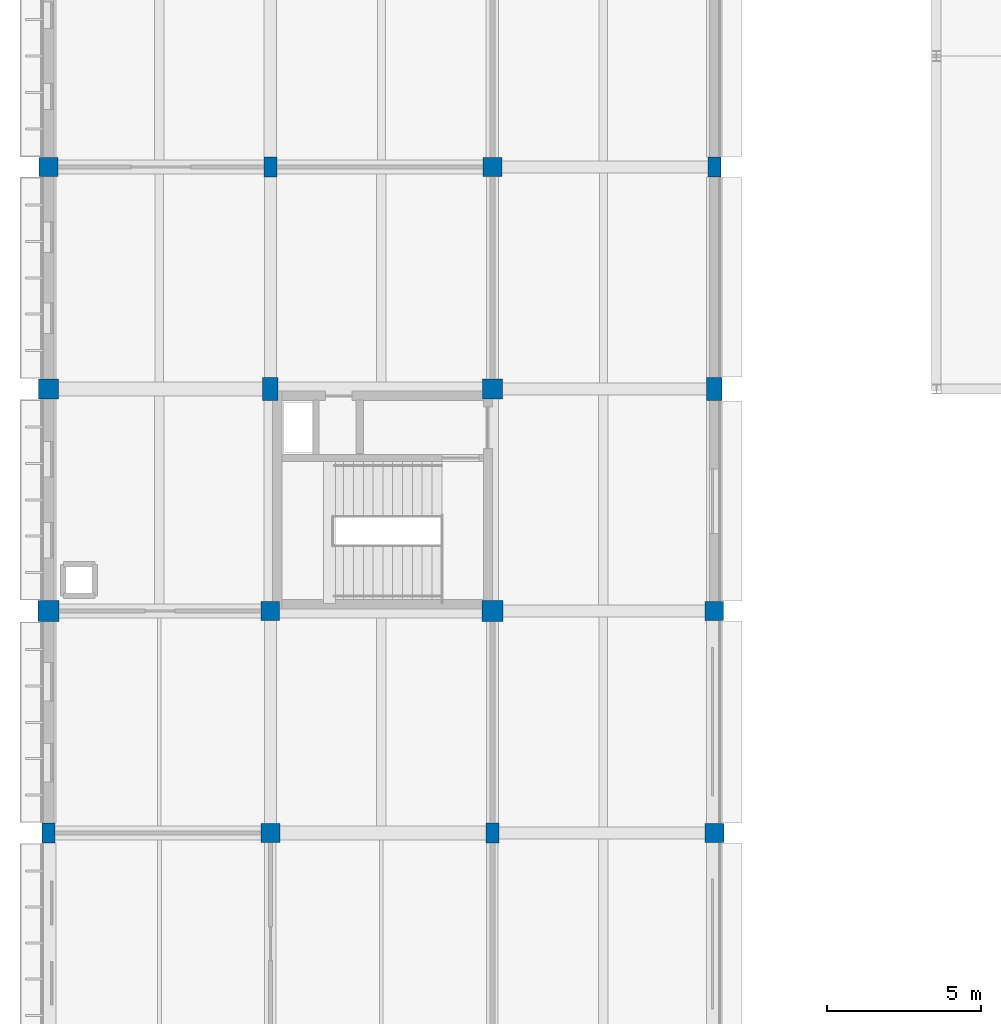
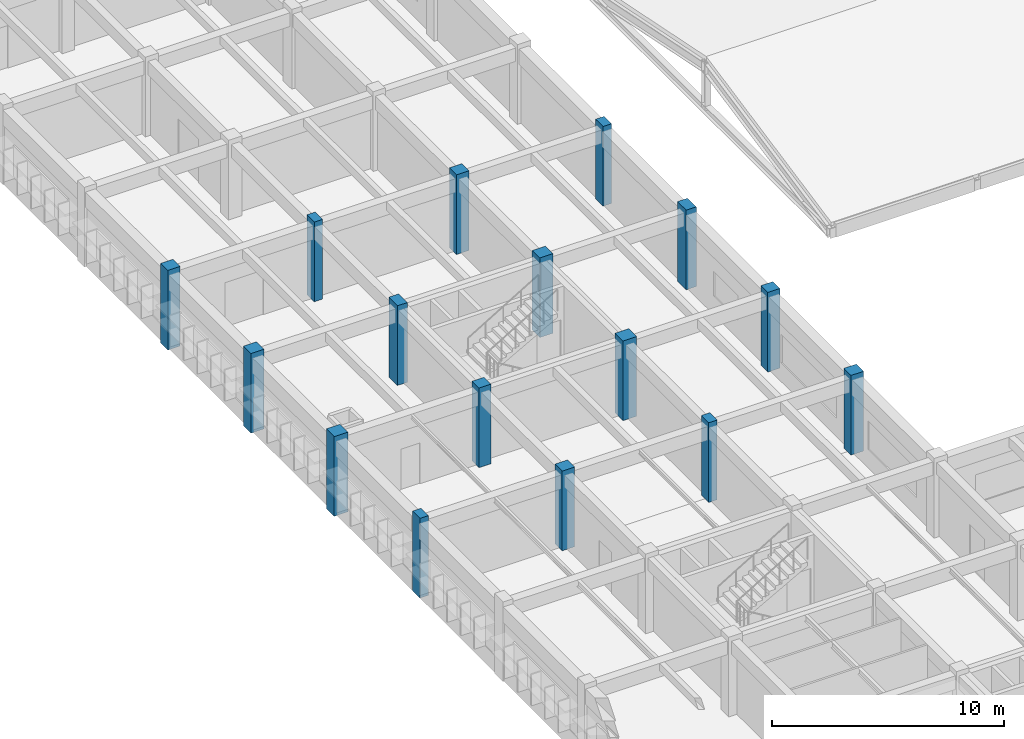
# One storey, part 3 of 103: 16 columns.
"""IFC4 building model written with IfcOpenShell, lengths in metres."""

from ifc_helpers import new_model, si_unit, direction, frame, origin, origin_2d, place, context, subcontext, project, spatial, rectangle, extrude, material, material_profile, profile_set, type_object, element, save


model = new_model("IFC4")

# Units and contexts
model_context = context("Model", 3, precision=1e-05, world=origin(), true_north=direction((0.0, 1.0)))
body_context = subcontext(model_context, "Body", "Model", "MODEL_VIEW")
ifc_project = project(units=[si_unit("LENGTHUNIT", "METRE"), si_unit("AREAUNIT", "SQUARE_METRE"), si_unit("VOLUMEUNIT", "CUBIC_METRE"), si_unit("PLANEANGLEUNIT", "RADIAN"), si_unit("MASSUNIT", "GRAM", prefix="KILO")], contexts=[model_context])

# Site, building, storey
site_placement = place(None, origin())
site = spatial("IfcSite", under=ifc_project, at=site_placement, CompositionType="ELEMENT")
building_placement = place(site_placement, origin())
building = spatial("IfcBuilding", under=site, at=building_placement, Name="Thalmaran Polytechnic", CompositionType="ELEMENT")
storey_placement = place(building_placement, frame((0.0, 0.0, 14.39990234375)))
storey = spatial("IfcBuildingStorey", under=building, at=storey_placement, Name="L03", CompositionType="ELEMENT", Elevation=14.39990234375)

# Columns
ifc_material = material(Name="Concrete C40/50", Category="concrete")
ifc_material_profile_1 = material_profile(ifc_material, rectangle(XDim=0.64990234375, YDim=0.64990234375, at=origin_2d()), Name="RC 650x650")
ifc_profile_set_1 = profile_set([ifc_material_profile_1], Name="Concrete C40/50")
column_type_1 = type_object("IfcColumnType", Name="COL-C06", PredefinedType="COLUMN", material=ifc_profile_set_1)
for number, where, z_axis, x_axis, name in (
    (1, (0.0, 50.39990234375, 0.0), (0.0, 0.0, 1.0), (1.0, 0.0, 0.0), "Column C06 L03 (0,7)"),
    (2, (14.39990234375, 50.39990234375, 0.0), (0.0, 0.0, 1.0), (1.0, 0.0, 0.0), "Column C06 L03 (2,7)"),
):
    element("IfcColumn", number, at=place(storey_placement, frame(where, z_axis=z_axis, x_axis=x_axis)), inside=storey, type_object=column_type_1, Name=name, PredefinedType="COLUMN", context=body_context, shape_type="SweptSolid", body=[
        extrude(rectangle(XDim=0.64990234375, YDim=0.64990234375, at=origin_2d()), origin(), (0.0, 0.0, 1.0), 4.2001953125),
    ])
ifc_material_profile_2 = material_profile(ifc_material, rectangle(XDim=0.60009765625, YDim=0.60009765625, at=origin_2d()), Name="RC 600x600")
ifc_profile_set_2 = profile_set([ifc_material_profile_2], Name="Concrete C40/50")
column_type_2 = type_object("IfcColumnType", Name="COL-C07", PredefinedType="COLUMN", material=ifc_profile_set_2)
for number, where, z_axis, x_axis, name in (
    (3, (7.199951171875, 43.199951171875, 0.0), (0.0, 0.0, 1.0), (1.0, 0.0, 0.0), "Column C07 L03 (1,6)"),
    (4, (21.60009765625, 43.199951171875, 0.0), (0.0, 0.0, 1.0), (1.0, 0.0, 0.0), "Column C07 L03 (3,6)"),
):
    element("IfcColumn", number, at=place(storey_placement, frame(where, z_axis=z_axis, x_axis=x_axis)), inside=storey, type_object=column_type_2, Name=name, PredefinedType="COLUMN", context=body_context, shape_type="SweptSolid", body=[
        extrude(rectangle(XDim=0.60009765625, YDim=0.60009765625, at=origin_2d()), origin(), (0.0, 0.0, 1.0), 4.2001953125),
    ])
ifc_material_profile_3 = material_profile(ifc_material, rectangle(XDim=0.5, YDim=0.75, at=origin_2d()), Name="RC 500x750")
ifc_profile_set_3 = profile_set([ifc_material_profile_3], Name="Concrete C40/50")
column_type_3 = type_object("IfcColumnType", Name="COL-C13", PredefinedType="COLUMN", material=ifc_profile_set_3)
for number, where, z_axis, x_axis, name in (
    (5, (7.199951171875, 50.39990234375, 0.0), (0.0, 0.0, 1.0), (1.0, 0.0, 0.0), "Column C13 L03 (1,7)"),
    (6, (21.60009765625, 50.39990234375, 0.0), (0.0, 0.0, 1.0), (1.0, 0.0, 0.0), "Column C13 L03 (3,7)"),
):
    element("IfcColumn", number, at=place(storey_placement, frame(where, z_axis=z_axis, x_axis=x_axis)), inside=storey, type_object=column_type_3, Name=name, PredefinedType="COLUMN", context=body_context, shape_type="SweptSolid", body=[
        extrude(rectangle(XDim=0.5, YDim=0.75, at=origin_2d()), origin(), (0.0, 0.0, 1.0), 4.2001953125),
    ])
ifc_material_profile_4 = material_profile(ifc_material, rectangle(XDim=0.679931640625, YDim=0.679931640625, at=origin_2d()), Name="RC 680x680")
ifc_profile_set_4 = profile_set([ifc_material_profile_4], Name="Concrete C40/50")
column_type_4 = type_object("IfcColumnType", Name="COL-ZC05", PredefinedType="COLUMN", material=ifc_profile_set_4)
for number, where, z_axis, x_axis, name in (
    (7, (0.0, 43.199951171875, 0.0), (0.0, 0.0, 1.0), (1.0, 0.0, 0.0), "Column ZC05 L03 (0,6)"),
    (8, (14.39990234375, 43.199951171875, 0.0), (0.0, 0.0, 1.0), (1.0, 0.0, 0.0), "Column ZC05 L03 (2,6)"),
):
    element("IfcColumn", number, at=place(storey_placement, frame(where, z_axis=z_axis, x_axis=x_axis)), inside=storey, type_object=column_type_4, Name=name, PredefinedType="COLUMN", context=body_context, shape_type="SweptSolid", body=[
        extrude(rectangle(XDim=0.679931640625, YDim=0.679931640625, at=origin_2d()), origin(), (0.0, 0.0, 1.0), 4.2001953125),
    ])
ifc_material_profile_5 = material_profile(ifc_material, rectangle(XDim=0.6201171875, YDim=0.6201171875, at=origin_2d()), Name="RC 620x620")
ifc_profile_set_5 = profile_set([ifc_material_profile_5], Name="Concrete C40/50")
column_type_5 = type_object("IfcColumnType", Name="COL-ZC06", PredefinedType="COLUMN", material=ifc_profile_set_5)
for number, where, z_axis, x_axis, name in (
    (9, (0.0, 57.60009765625, 0.0), (0.0, 0.0, 1.0), (1.0, 0.0, 0.0), "Column ZC06 L03 (0,8)"),
    (10, (7.199951171875, 36.0, 0.0), (0.0, 0.0, 1.0), (1.0, 0.0, 0.0), "Column ZC06 L03 (1,5)"),
    (11, (14.39990234375, 57.60009765625, 0.0), (0.0, 0.0, 1.0), (1.0, 0.0, 0.0), "Column ZC06 L03 (2,8)"),
    (12, (21.60009765625, 36.0, 0.0), (0.0, 0.0, 1.0), (1.0, 0.0, 0.0), "Column ZC06 L03 (3,5)"),
):
    element("IfcColumn", number, at=place(storey_placement, frame(where, z_axis=z_axis, x_axis=x_axis)), inside=storey, type_object=column_type_5, Name=name, PredefinedType="COLUMN", context=body_context, shape_type="SweptSolid", body=[
        extrude(rectangle(XDim=0.6201171875, YDim=0.6201171875, at=origin_2d()), origin(), (0.0, 0.0, 1.0), 4.2001953125),
    ])
ifc_material_profile_6 = material_profile(ifc_material, rectangle(XDim=0.419921875, YDim=0.639892578125, at=origin_2d()), Name="RC 420x640")
ifc_profile_set_6 = profile_set([ifc_material_profile_6], Name="Concrete C40/50")
column_type_6 = type_object("IfcColumnType", Name="COL-ZC10", PredefinedType="PILASTER", material=ifc_profile_set_6)
for number, where, z_axis, x_axis, name in (
    (13, (0.0, 36.0, 0.0), (0.0, 0.0, 1.0), (1.0, 0.0, 0.0), "Column ZPL1 L03 (0,5)"),
    (14, (7.199951171875, 57.60009765625, 0.0), (0.0, 0.0, 1.0), (1.0, 0.0, 0.0), "Column ZPL1 L03 (1,8)"),
    (15, (14.39990234375, 36.0, 0.0), (0.0, 0.0, 1.0), (1.0, 0.0, 0.0), "Column ZPL1 L03 (2,5)"),
    (16, (21.60009765625, 57.60009765625, 0.0), (0.0, 0.0, 1.0), (1.0, 0.0, 0.0), "Column ZPL1 L03 (3,8)"),
):
    element("IfcColumn", number, at=place(storey_placement, frame(where, z_axis=z_axis, x_axis=x_axis)), inside=storey, type_object=column_type_6, Name=name, PredefinedType="PILASTER", context=body_context, shape_type="SweptSolid", body=[
        extrude(rectangle(XDim=0.419921875, YDim=0.639892578125, at=origin_2d()), origin(), (0.0, 0.0, 1.0), 4.2001953125),
    ])

save(model, "model.ifc")
